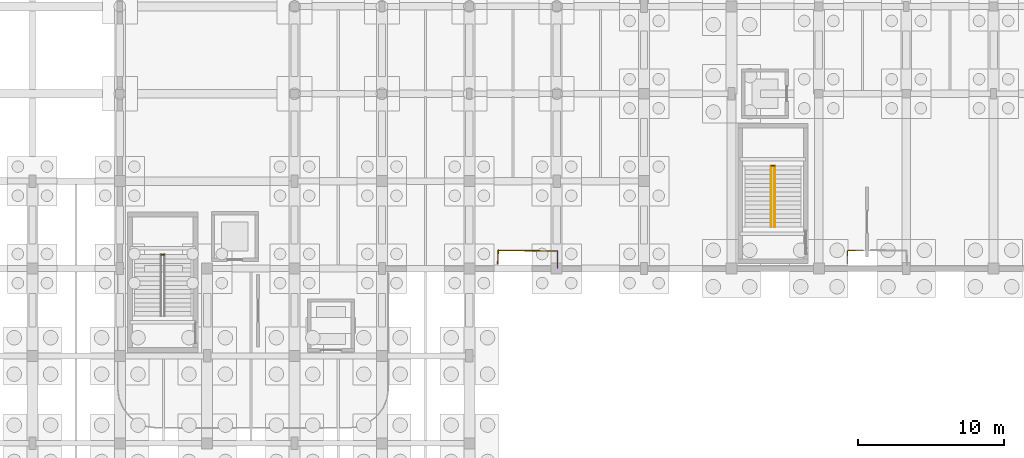
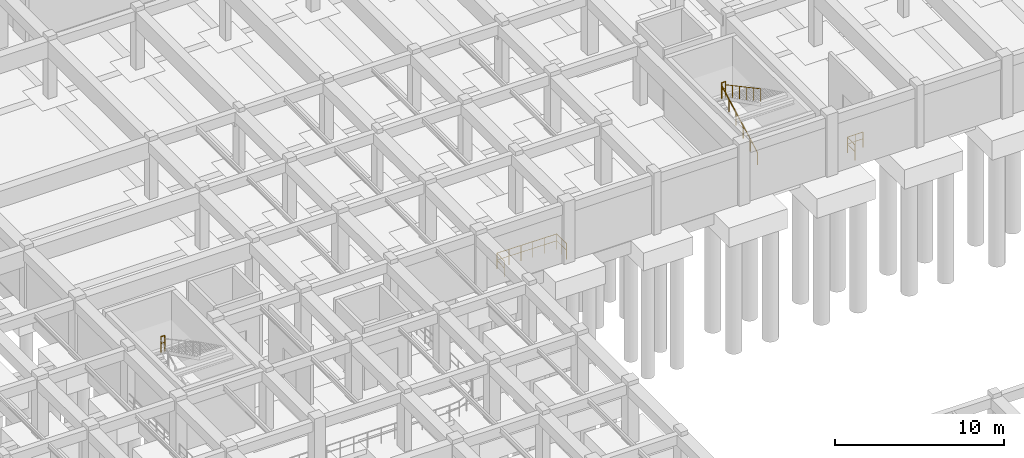
# One storey, part 26 of 32: 6 railings.
"""IFC4 building model written with IfcOpenShell, lengths in metres."""

from ifc_helpers import new_model, si_unit, direction, frame, origin, origin_2d, place, context, subcontext, project, spatial, circle, extrude, material, type_object, element, save


model = new_model("IFC4")

# Units and contexts
model_context = context("Model", 3, precision=1e-05, world=origin(), true_north=direction((0.0, 1.0)))
body_context = subcontext(model_context, "Body", "Model", "MODEL_VIEW")
ifc_project = project(units=[si_unit("LENGTHUNIT", "METRE"), si_unit("AREAUNIT", "SQUARE_METRE"), si_unit("VOLUMEUNIT", "CUBIC_METRE"), si_unit("PLANEANGLEUNIT", "RADIAN"), si_unit("MASSUNIT", "GRAM", prefix="KILO")], contexts=[model_context])

# Site, building, storey
site_placement = place(None, origin())
site = spatial("IfcSite", under=ifc_project, at=site_placement, CompositionType="ELEMENT")
building_placement = place(site_placement, origin())
building = spatial("IfcBuilding", under=site, at=building_placement, Name="Varnakota Square Police Headquarters", CompositionType="ELEMENT")
storey_placement = place(building_placement, frame((0.0, 0.0, -4.5)))
storey = spatial("IfcBuildingStorey", under=building, at=storey_placement, Name="B1", CompositionType="ELEMENT", Elevation=-4.5)

# Railings
ifc_material_1 = material(Name="Galvanised Powder-Coated Steel Guardrail", Category="steel")
railing_type_1 = type_object("IfcRailingType", Name="RL-BAL-1150", PredefinedType="BALUSTRADE", material=ifc_material_1)
railing_1_placement = place(storey_placement, frame((69.0400390625, 70.25, 0.0)))
element("IfcRailing", 1, at=railing_1_placement, inside=storey, type_object=railing_type_1, Name="Perimeter edge safety guard GD-AUTO-B1-008", PredefinedType="BALUSTRADE", context=body_context, shape_type="SweptSolid", body=[
    extrude(circle(Radius=0.02392578125, at=origin_2d()), frame((0.0, 0.0, 1.1259765625), z_axis=(-0.999945106507, -0.010477784715, 0.0), x_axis=(0.010477784715, -0.999945106507, 0.0)), (0.0, 0.0, 1.0), 1.07177734375),
    extrude(circle(Radius=0.01806640625, at=origin_2d()), frame((0.0, 0.0, 0.63232421875), z_axis=(-0.999945106507, -0.010477784715, 0.0), x_axis=(0.010477784715, -0.999945106507, 0.0)), (0.0, 0.0, 1.0), 1.07177734375),
    extrude(circle(Radius=0.02392578125, at=origin_2d()), frame((-1.07177734375, -0.01123046875, 1.1259765625), z_axis=(-0.020146367034, -0.999797041352, 0.0), x_axis=(0.999797041352, -0.020146367034, 0.0)), (0.0, 0.0, 1.0), 0.908935546875),
    extrude(circle(Radius=0.01806640625, at=origin_2d()), frame((-1.07177734375, -0.01123046875, 0.63232421875), z_axis=(-0.020146367034, -0.999797041352, 0.0), x_axis=(0.999797041352, -0.020146367034, 0.0)), (0.0, 0.0, 1.0), 0.908935546875),
    extrude(circle(Radius=0.02099609375, at=origin_2d()), origin(), (0.0, 0.0, 1.0), 1.101806640625),
    extrude(circle(Radius=0.02099609375, at=origin_2d()), frame((-0.535888671875, -0.005615234375, 0.0)), (0.0, 0.0, 1.0), 1.101806640625),
    extrude(circle(Radius=0.02099609375, at=origin_2d()), frame((-1.07177734375, -0.01123046875, 0.0)), (0.0, 0.0, 1.0), 1.101806640625),
    extrude(circle(Radius=0.02099609375, at=origin_2d()), frame((-1.090087890625, -0.919921875, 0.0)), (0.0, 0.0, 1.0), 1.101806640625),
])
railing_2_placement = place(storey_placement, frame((48.05322265625, 69.050048828125, 0.0)))
element("IfcRailing", 2, at=railing_2_placement, inside=storey, type_object=railing_type_1, Name="Perimeter edge safety guard GD-AUTO-B1-009", PredefinedType="BALUSTRADE", context=body_context, shape_type="SweptSolid", body=[
    extrude(circle(Radius=0.02392578125, at=origin_2d()), frame((0.0, 0.0, 1.1259765625), z_axis=(-0.002760074412, 0.999996190987, 0.0), x_axis=(-0.999996190987, -0.002760074412, 0.0)), (0.0, 0.0, 1.0), 1.14990234375),
    extrude(circle(Radius=0.01806640625, at=origin_2d()), frame((0.0, 0.0, 0.63232421875), z_axis=(-0.002760074412, 0.999996190987, 0.0), x_axis=(-0.999996190987, -0.002760074412, 0.0)), (0.0, 0.0, 1.0), 1.14990234375),
    extrude(circle(Radius=0.02392578125, at=origin_2d()), frame((-0.003173828125, 1.14990234375, 1.1259765625), z_axis=(-0.999926956384, 0.012086434436, 0.0), x_axis=(-0.012086434436, -0.999926956384, 0.0)), (0.0, 0.0, 1.0), 4.06005859375),
    extrude(circle(Radius=0.01806640625, at=origin_2d()), frame((-0.003173828125, 1.14990234375, 0.63232421875), z_axis=(-0.999926956384, 0.012086434436, 0.0), x_axis=(-0.012086434436, -0.999926956384, 0.0)), (0.0, 0.0, 1.0), 4.06005859375),
    extrude(circle(Radius=0.02392578125, at=origin_2d()), frame((-4.06298828125, 1.198974609375, 1.1259765625), z_axis=(-0.04379428641, -0.999040569986, 0.0), x_axis=(0.999040569986, -0.04379428641, 0.0)), (0.0, 0.0, 1.0), 0.919921875),
    extrude(circle(Radius=0.01806640625, at=origin_2d()), frame((-4.06298828125, 1.198974609375, 0.63232421875), z_axis=(-0.04379428641, -0.999040569986, 0.0), x_axis=(0.999040569986, -0.04379428641, 0.0)), (0.0, 0.0, 1.0), 0.919921875),
    extrude(circle(Radius=0.02099609375, at=origin_2d()), origin(), (0.0, 0.0, 1.0), 1.101806640625),
    extrude(circle(Radius=0.02099609375, at=origin_2d()), frame((-0.00146484375, 0.574951171875, 0.0)), (0.0, 0.0, 1.0), 1.101806640625),
    extrude(circle(Radius=0.02099609375, at=origin_2d()), frame((-0.003173828125, 1.14990234375, 0.0)), (0.0, 0.0, 1.0), 1.101806640625),
    extrude(circle(Radius=0.02099609375, at=origin_2d()), frame((-0.815185546875, 1.15966796875, 0.0)), (0.0, 0.0, 1.0), 1.101806640625),
    extrude(circle(Radius=0.02099609375, at=origin_2d()), frame((-1.627197265625, 1.16943359375, 0.0)), (0.0, 0.0, 1.0), 1.101806640625),
    extrude(circle(Radius=0.02099609375, at=origin_2d()), frame((-2.43896484375, 1.179443359375, 0.0)), (0.0, 0.0, 1.0), 1.101806640625),
    extrude(circle(Radius=0.02099609375, at=origin_2d()), frame((-3.2509765625, 1.189208984375, 0.0)), (0.0, 0.0, 1.0), 1.101806640625),
    extrude(circle(Radius=0.02099609375, at=origin_2d()), frame((-4.06298828125, 1.198974609375, 0.0)), (0.0, 0.0, 1.0), 1.101806640625),
    extrude(circle(Radius=0.02099609375, at=origin_2d()), frame((-4.103271484375, 0.280029296875, 0.0)), (0.0, 0.0, 1.0), 1.101806640625),
])
ifc_material_2 = material(Name="Brushed Stainless Steel Tubular Handrail", Category="steel")
railing_type_2 = type_object("IfcRailingType", Name="RL-HND-920", PredefinedType="HANDRAIL", material=ifc_material_2)
railing_3_placement = place(storey_placement, frame((62.72998046875, 71.85009765625, 0.0)))
element("IfcRailing", 3, at=railing_3_placement, inside=storey, type_object=railing_type_2, Name="Stair flight handrail HR-B1-065", PredefinedType="HANDRAIL", context=body_context, shape_type="SweptSolid", body=[
    extrude(circle(Radius=0.02392578125, at=origin_2d()), frame((0.0, 0.0, 0.89599609375), z_axis=(0.0, 0.881511956786, 0.472161699043), x_axis=(-1.0, 0.0, 0.0)), (0.0, 0.0, 1.0), 4.765380859375),
    extrude(circle(Radius=0.02099609375, at=origin_2d()), origin(), (0.0, 0.0, 1.0), 0.871826171875),
    extrude(circle(Radius=0.02099609375, at=origin_2d()), frame((0.0, 0.840087890625, 0.449951171875)), (0.0, 0.0, 1.0), 0.871826171875),
    extrude(circle(Radius=0.02099609375, at=origin_2d()), frame((0.0, 1.68017578125, 0.89990234375)), (0.0, 0.0, 1.0), 0.871826171875),
    extrude(circle(Radius=0.02099609375, at=origin_2d()), frame((0.0, 2.5205078125, 1.35009765625)), (0.0, 0.0, 1.0), 0.871826171875),
    extrude(circle(Radius=0.02099609375, at=origin_2d()), frame((0.0, 3.360595703125, 1.800048828125)), (0.0, 0.0, 1.0), 0.871826171875),
    extrude(circle(Radius=0.02099609375, at=origin_2d()), frame((0.0, 4.20068359375, 2.25)), (0.0, 0.0, 1.0), 0.871826171875),
])
railing_4_placement = place(storey_placement, frame((62.969970703125, 76.05078125, 2.25)))
element("IfcRailing", 4, at=railing_4_placement, inside=storey, type_object=railing_type_2, Name="Stair flight handrail HR-B1-066", PredefinedType="HANDRAIL", context=body_context, shape_type="SweptSolid", body=[
    extrude(circle(Radius=0.02392578125, at=origin_2d()), frame((0.0, 0.0, 0.89599609375), z_axis=(0.0, -0.881511956786, 0.472161699043), x_axis=(1.0, 0.0, 0.0)), (0.0, 0.0, 1.0), 4.765380859375),
    extrude(circle(Radius=0.02099609375, at=origin_2d()), origin(), (0.0, 0.0, 1.0), 0.871826171875),
    extrude(circle(Radius=0.02099609375, at=origin_2d()), frame((0.0, -0.840087890625, 0.449951171875)), (0.0, 0.0, 1.0), 0.871826171875),
    extrude(circle(Radius=0.02099609375, at=origin_2d()), frame((0.0, -1.68017578125, 0.89990234375)), (0.0, 0.0, 1.0), 0.871826171875),
    extrude(circle(Radius=0.02099609375, at=origin_2d()), frame((0.0, -2.5205078125, 1.35009765625)), (0.0, 0.0, 1.0), 0.871826171875),
    extrude(circle(Radius=0.02099609375, at=origin_2d()), frame((0.0, -3.360595703125, 1.800048828125)), (0.0, 0.0, 1.0), 0.871826171875),
    extrude(circle(Radius=0.02099609375, at=origin_2d()), frame((0.0, -4.20068359375, 2.25)), (0.0, 0.0, 1.0), 0.871826171875),
])
ifc_material_3 = material(Name="Laminated Glass and Stainless Steel Balustrade", Category="steel")
railing_type_3 = type_object("IfcRailingType", Name="RL-INT-1150", PredefinedType="BALUSTRADE", material=ifc_material_3)
for number, where, name in (
    (5, (20.820068359375, 69.95068359375, 2.25), "Half-landing well guard C5 B1"),
    (6, (62.719970703125, 76.05078125, 2.25), "Half-landing well guard C6 B1"),
):
    element("IfcRailing", number, at=place(storey_placement, frame(where)), inside=storey, type_object=railing_type_3, Name=name, PredefinedType="BALUSTRADE", context=body_context, shape_type="SweptSolid", body=[
        extrude(circle(Radius=0.02392578125, at=origin_2d()), frame((0.0, 0.0, 1.1259765625), z_axis=(1.0, 0.0, 0.0), x_axis=(0.0, 1.0, 0.0)), (0.0, 0.0, 1.0), 0.260009765625),
        extrude(circle(Radius=0.01806640625, at=origin_2d()), frame((0.0, 0.0, 0.63232421875), z_axis=(1.0, 0.0, 0.0), x_axis=(0.0, 1.0, 0.0)), (0.0, 0.0, 1.0), 0.260009765625),
        extrude(circle(Radius=0.02099609375, at=origin_2d()), origin(), (0.0, 0.0, 1.0), 1.101806640625),
        extrude(circle(Radius=0.02099609375, at=origin_2d()), frame((0.260009765625, 0.0, 0.0)), (0.0, 0.0, 1.0), 1.101806640625),
    ])

save(model, "model.ifc")
